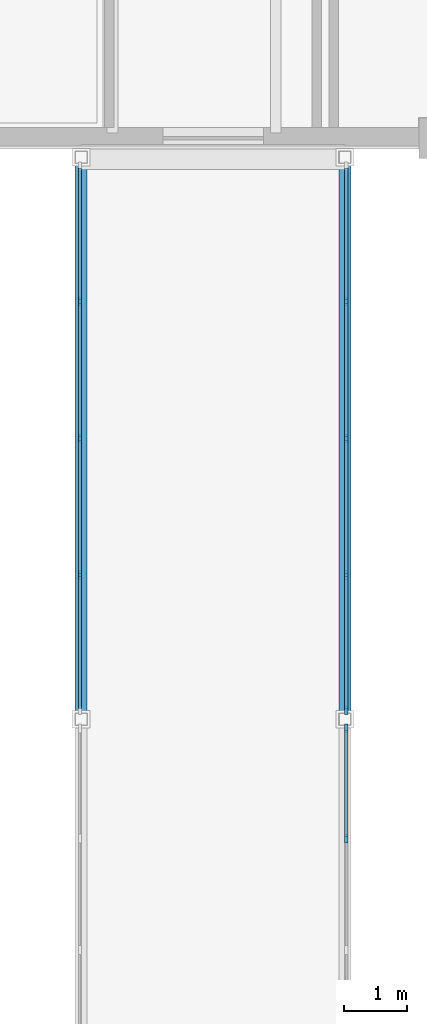
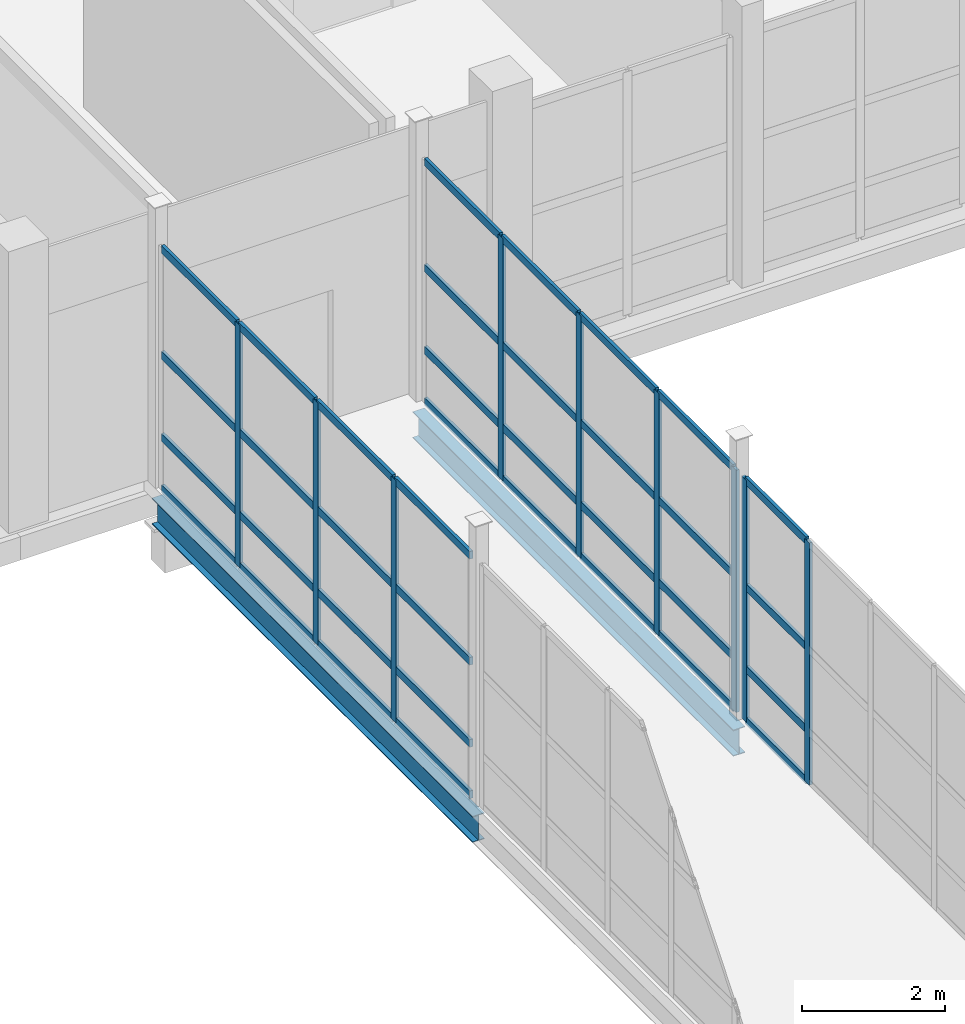
# One storey, part 50 of 131: 45 members, 2 beams, 3 elements without a shape of their own.
"""IFC4 building model written with IfcOpenShell, lengths in metres."""

from ifc_helpers import new_model, si_unit, direction, frame, origin, origin_2d, place, context, subcontext, project, spatial, rectangle, i_section, extrude, material, layer, layer_set, material_profile, profile_set, type_object, element, aggregate, save


model = new_model("IFC4")

# Units and contexts
model_context = context("Model", 3, precision=1e-05, world=origin(), true_north=direction((0.0, 1.0)))
body_context = subcontext(model_context, "Body", "Model", "MODEL_VIEW")
ifc_project = project(units=[si_unit("LENGTHUNIT", "METRE"), si_unit("AREAUNIT", "SQUARE_METRE"), si_unit("VOLUMEUNIT", "CUBIC_METRE"), si_unit("PLANEANGLEUNIT", "RADIAN"), si_unit("MASSUNIT", "GRAM", prefix="KILO")], contexts=[model_context])

# Site, building, storey
site_placement = place(None, origin())
site = spatial("IfcSite", under=ifc_project, at=site_placement, CompositionType="ELEMENT")
building_placement = place(site_placement, origin())
building = spatial("IfcBuilding", under=site, at=building_placement, Name="Celorna Specialist Clinic", CompositionType="ELEMENT")
storey_placement = place(building_placement, origin())
storey = spatial("IfcBuildingStorey", under=building, at=storey_placement, Name="L00", CompositionType="ELEMENT", Elevation=0.0)

# Beams
ifc_material_1 = material(Name="Steel S355", Category="steel")
ifc_material_profile_1 = material_profile(ifc_material_1, i_section(OverallWidth=0.18994140625, OverallDepth=0.449951171875, WebThickness=0.009521484375, FlangeThickness=0.0146484375, at=origin_2d()), Name="IPE 450")
ifc_profile_set_1 = profile_set([ifc_material_profile_1], Name="Steel S355")
beam_type = type_object("IfcBeamType", Name="BM-09", PredefinedType="BEAM", material=ifc_profile_set_1)
for number, where, z_axis, x_axis, name in (
    (1, (72.300048828125, 87.25, -0.445068359375), (0.0, 1.0, 0.0), (-1.0, 0.0, 0.0), "Bridge BR-04 edge girder BM-09 #93"),
    (2, (76.5, 87.25, -0.445068359375), (0.0, 1.0, 0.0), (-1.0, 0.0, 0.0), "Bridge BR-04 edge girder BM-09 #95"),
):
    element("IfcBeam", number, at=place(storey_placement, frame(where, z_axis=z_axis, x_axis=x_axis)), inside=storey, type_object=beam_type, Name=name, PredefinedType="BEAM", context=body_context, shape_type="SweptSolid", body=[
        extrude(i_section(OverallWidth=0.18994140625, OverallDepth=0.449951171875, WebThickness=0.009521484375, FlangeThickness=0.0146484375, at=origin_2d()), origin(), (0.0, 0.0, 1.0), 8.949951171875),
    ])

# Curtain wall, members
ifc_material_2 = material(Name="Thermally broken aluminium and solar-control glass curtain wall", Category="aluminium")
ifc_layer_1 = layer(ifc_material_2, 0.159912109375, Name="Thermally broken aluminium and solar-control glass curtain wall")
ifc_layer_set_1 = layer_set([ifc_layer_1], Name="Thermally broken aluminium and solar-control glass curtain wall")
curtain_wall_type_1 = type_object("IfcCurtainWallType", Name="CW-114", PredefinedType="NOTDEFINED", material=ifc_layer_set_1)
curtain_wall_1_placement = place(storey_placement, origin())
curtain_wall_1 = element("IfcCurtainWall", 3, at=curtain_wall_1_placement, inside=storey, type_object=curtain_wall_type_1, Name="Curtain wall CW-114 #207", PredefinedType="NOTDEFINED")
ifc_material_3 = material(Name="Anodized aluminium mullion", Category="aluminium")
ifc_material_profile_2 = material_profile(ifc_material_3, rectangle(XDim=0.050048828125, YDim=0.139892578125, at=origin_2d()), Name="ALU MULLION 50x140")
ifc_profile_set_2 = profile_set([ifc_material_profile_2], Name="Anodized aluminium mullion")
member_type_1 = type_object("IfcMemberType", Name="ML-03", PredefinedType="MULLION", material=ifc_profile_set_2)
member_1_placement = place(storey_placement, frame((72.280029296875, 89.547607421875, 0.0), z_axis=(0.0, 0.0, 1.0), x_axis=(-1.0, 0.0, 0.0)))
member_1 = element("IfcMember", 4, at=member_1_placement, type_object=member_type_1, Name="CW-114 mullion 2", PredefinedType="MULLION", context=body_context, shape_type="SweptSolid", body=[
    extrude(rectangle(XDim=0.050048828125, YDim=0.139892578125, at=origin_2d()), origin(), (0.0, 0.0, 1.0), 4.1298828125),
])
member_2_placement = place(storey_placement, frame((72.280029296875, 91.72509765625, 0.0), z_axis=(0.0, 0.0, 1.0), x_axis=(-1.0, 0.0, 0.0)))
member_2 = element("IfcMember", 5, at=member_2_placement, type_object=member_type_1, Name="CW-114 mullion 3", PredefinedType="MULLION", context=body_context, shape_type="SweptSolid", body=[
    extrude(rectangle(XDim=0.050048828125, YDim=0.139892578125, at=origin_2d()), origin(), (0.0, 0.0, 1.0), 4.1298828125),
])
member_3_placement = place(storey_placement, frame((72.280029296875, 93.902587890625, 0.0), z_axis=(0.0, 0.0, 1.0), x_axis=(-1.0, 0.0, 0.0)))
member_3 = element("IfcMember", 6, at=member_3_placement, type_object=member_type_1, Name="CW-114 mullion 4", PredefinedType="MULLION", context=body_context, shape_type="SweptSolid", body=[
    extrude(rectangle(XDim=0.050048828125, YDim=0.139892578125, at=origin_2d()), origin(), (0.0, 0.0, 1.0), 4.1298828125),
])

curtain_wall_2_placement = place(storey_placement, origin())
curtain_wall_2 = element("IfcCurtainWall", 7, at=curtain_wall_2_placement, inside=storey, type_object=curtain_wall_type_1, Name="Curtain wall CW-114 #208", PredefinedType="NOTDEFINED")
member_4_placement = place(storey_placement, frame((76.52001953125, 93.902587890625, 0.0), z_axis=(0.0, 0.0, 1.0), x_axis=(1.0, 0.0, 0.0)))
member_4 = element("IfcMember", 8, at=member_4_placement, type_object=member_type_1, Name="CW-114 mullion 2", PredefinedType="MULLION", context=body_context, shape_type="SweptSolid", body=[
    extrude(rectangle(XDim=0.050048828125, YDim=0.139892578125, at=origin_2d()), origin(), (0.0, 0.0, 1.0), 4.1298828125),
])
member_5_placement = place(storey_placement, frame((76.52001953125, 91.72509765625, 0.0), z_axis=(0.0, 0.0, 1.0), x_axis=(1.0, 0.0, 0.0)))
member_5 = element("IfcMember", 9, at=member_5_placement, type_object=member_type_1, Name="CW-114 mullion 3", PredefinedType="MULLION", context=body_context, shape_type="SweptSolid", body=[
    extrude(rectangle(XDim=0.050048828125, YDim=0.139892578125, at=origin_2d()), origin(), (0.0, 0.0, 1.0), 4.1298828125),
])
member_6_placement = place(storey_placement, frame((76.52001953125, 89.547607421875, 0.0), z_axis=(0.0, 0.0, 1.0), x_axis=(1.0, 0.0, 0.0)))
member_6 = element("IfcMember", 10, at=member_6_placement, type_object=member_type_1, Name="CW-114 mullion 4", PredefinedType="MULLION", context=body_context, shape_type="SweptSolid", body=[
    extrude(rectangle(XDim=0.050048828125, YDim=0.139892578125, at=origin_2d()), origin(), (0.0, 0.0, 1.0), 4.1298828125),
])
member_7_placement = place(storey_placement, frame((76.52001953125, 87.39501953125, 0.0), z_axis=(0.0, 0.0, 1.0), x_axis=(1.0, 0.0, 0.0)))
member_7 = element("IfcMember", 11, at=member_7_placement, type_object=member_type_1, Name="CW-114 mullion 5", PredefinedType="MULLION", context=body_context, shape_type="SweptSolid", body=[
    extrude(rectangle(XDim=0.050048828125, YDim=0.139892578125, at=origin_2d()), origin(), (0.0, 0.0, 1.0), 4.1298828125),
])

ifc_layer_2 = layer(ifc_material_2, 0.159912109375, Name="Thermally broken aluminium and solar-control glass curtain wall")
ifc_layer_set_2 = layer_set([ifc_layer_2], Name="Thermally broken aluminium and solar-control glass curtain wall")
curtain_wall_type_2 = type_object("IfcCurtainWallType", Name="CW-113", PredefinedType="NOTDEFINED", material=ifc_layer_set_2)
curtain_wall_3_placement = place(storey_placement, origin())
curtain_wall_3 = element("IfcCurtainWall", 12, at=curtain_wall_3_placement, inside=storey, type_object=curtain_wall_type_2, Name="Curtain wall CW-113 #209", PredefinedType="NOTDEFINED")
member_8_placement = place(storey_placement, frame((76.52001953125, 87.10498046875, 0.0), z_axis=(0.0, 0.0, 1.0), x_axis=(1.0, 0.0, 0.0)))
member_8 = element("IfcMember", 13, at=member_8_placement, type_object=member_type_1, Name="CW-113 mullion 1", PredefinedType="MULLION", context=body_context, shape_type="SweptSolid", body=[
    extrude(rectangle(XDim=0.050048828125, YDim=0.139892578125, at=origin_2d()), origin(), (0.0, 0.0, 1.0), 4.1298828125),
])
member_9_placement = place(storey_placement, frame((76.52001953125, 85.35400390625, 0.0), z_axis=(0.0, 0.0, 1.0), x_axis=(1.0, 0.0, 0.0)))
member_9 = element("IfcMember", 14, at=member_9_placement, type_object=member_type_1, Name="CW-113 mullion 2", PredefinedType="MULLION", context=body_context, shape_type="SweptSolid", body=[
    extrude(rectangle(XDim=0.050048828125, YDim=0.139892578125, at=origin_2d()), origin(), (0.0, 0.0, 1.0), 4.1298828125),
])

# Member
ifc_material_4 = material(Name="Anodized aluminium transom", Category="aluminium")
ifc_material_profile_3 = material_profile(ifc_material_4, rectangle(XDim=0.050048828125, YDim=0.1298828125, at=origin_2d()), Name="ALU TRANSOM 50x130")
ifc_profile_set_3 = profile_set([ifc_material_profile_3], Name="Anodized aluminium transom")
member_type_2 = type_object("IfcMemberType", Name="TR-01", PredefinedType="USERDEFINED", material=ifc_profile_set_3)
member_10_placement = place(storey_placement, frame((72.280029296875, 87.419921875, 0.02490234375), z_axis=(0.0, 1.0, 0.0), x_axis=(-1.0, 0.0, 0.0)))
member_10 = element("IfcMember", 15, at=member_10_placement, type_object=member_type_2, Name="CW-114 transom 1.1", ObjectType="TRANSOM", PredefinedType="USERDEFINED", context=body_context, shape_type="SweptSolid", body=[
    extrude(rectangle(XDim=0.050048828125, YDim=0.1298828125, at=origin_2d()), origin(), (0.0, 0.0, 1.0), 2.1025390625),
])

member_11_placement = place(storey_placement, frame((72.280029296875, 87.419921875, 0.89990234375), z_axis=(0.0, 1.0, 0.0), x_axis=(-1.0, 0.0, 0.0)))
member_11 = element("IfcMember", 16, at=member_11_placement, type_object=member_type_2, Name="CW-114 transom 1.2", ObjectType="TRANSOM", PredefinedType="USERDEFINED", context=body_context, shape_type="SweptSolid", body=[
    extrude(rectangle(XDim=0.050048828125, YDim=0.1298828125, at=origin_2d()), origin(), (0.0, 0.0, 1.0), 2.1025390625),
])

member_12_placement = place(storey_placement, frame((72.280029296875, 87.419921875, 2.300048828125), z_axis=(0.0, 1.0, 0.0), x_axis=(-1.0, 0.0, 0.0)))
member_12 = element("IfcMember", 17, at=member_12_placement, type_object=member_type_2, Name="CW-114 transom 1.3", ObjectType="TRANSOM", PredefinedType="USERDEFINED", context=body_context, shape_type="SweptSolid", body=[
    extrude(rectangle(XDim=0.050048828125, YDim=0.1298828125, at=origin_2d()), origin(), (0.0, 0.0, 1.0), 2.1025390625),
])

member_13_placement = place(storey_placement, frame((72.280029296875, 87.419921875, 4.10498046875), z_axis=(0.0, 1.0, 0.0), x_axis=(-1.0, 0.0, 0.0)))
member_13 = element("IfcMember", 18, at=member_13_placement, type_object=member_type_2, Name="CW-114 transom 1.4", ObjectType="TRANSOM", PredefinedType="USERDEFINED", context=body_context, shape_type="SweptSolid", body=[
    extrude(rectangle(XDim=0.050048828125, YDim=0.1298828125, at=origin_2d()), origin(), (0.0, 0.0, 1.0), 2.1025390625),
])

member_14_placement = place(storey_placement, frame((72.280029296875, 89.572509765625, 0.02490234375), z_axis=(0.0, 1.0, 0.0), x_axis=(-1.0, 0.0, 0.0)))
member_14 = element("IfcMember", 19, at=member_14_placement, type_object=member_type_2, Name="CW-114 transom 2.1", ObjectType="TRANSOM", PredefinedType="USERDEFINED", context=body_context, shape_type="SweptSolid", body=[
    extrude(rectangle(XDim=0.050048828125, YDim=0.1298828125, at=origin_2d()), origin(), (0.0, 0.0, 1.0), 2.12744140625),
])

member_15_placement = place(storey_placement, frame((72.280029296875, 89.572509765625, 0.89990234375), z_axis=(0.0, 1.0, 0.0), x_axis=(-1.0, 0.0, 0.0)))
member_15 = element("IfcMember", 20, at=member_15_placement, type_object=member_type_2, Name="CW-114 transom 2.2", ObjectType="TRANSOM", PredefinedType="USERDEFINED", context=body_context, shape_type="SweptSolid", body=[
    extrude(rectangle(XDim=0.050048828125, YDim=0.1298828125, at=origin_2d()), origin(), (0.0, 0.0, 1.0), 2.12744140625),
])

member_16_placement = place(storey_placement, frame((72.280029296875, 89.572509765625, 2.300048828125), z_axis=(0.0, 1.0, 0.0), x_axis=(-1.0, 0.0, 0.0)))
member_16 = element("IfcMember", 21, at=member_16_placement, type_object=member_type_2, Name="CW-114 transom 2.3", ObjectType="TRANSOM", PredefinedType="USERDEFINED", context=body_context, shape_type="SweptSolid", body=[
    extrude(rectangle(XDim=0.050048828125, YDim=0.1298828125, at=origin_2d()), origin(), (0.0, 0.0, 1.0), 2.12744140625),
])

member_17_placement = place(storey_placement, frame((72.280029296875, 89.572509765625, 4.10498046875), z_axis=(0.0, 1.0, 0.0), x_axis=(-1.0, 0.0, 0.0)))
member_17 = element("IfcMember", 22, at=member_17_placement, type_object=member_type_2, Name="CW-114 transom 2.4", ObjectType="TRANSOM", PredefinedType="USERDEFINED", context=body_context, shape_type="SweptSolid", body=[
    extrude(rectangle(XDim=0.050048828125, YDim=0.1298828125, at=origin_2d()), origin(), (0.0, 0.0, 1.0), 2.12744140625),
])

member_18_placement = place(storey_placement, frame((72.280029296875, 91.75, 0.02490234375), z_axis=(0.0, 1.0, 0.0), x_axis=(-1.0, 0.0, 0.0)))
member_18 = element("IfcMember", 23, at=member_18_placement, type_object=member_type_2, Name="CW-114 transom 3.1", ObjectType="TRANSOM", PredefinedType="USERDEFINED", context=body_context, shape_type="SweptSolid", body=[
    extrude(rectangle(XDim=0.050048828125, YDim=0.1298828125, at=origin_2d()), origin(), (0.0, 0.0, 1.0), 2.12744140625),
])

member_19_placement = place(storey_placement, frame((72.280029296875, 91.75, 0.89990234375), z_axis=(0.0, 1.0, 0.0), x_axis=(-1.0, 0.0, 0.0)))
member_19 = element("IfcMember", 24, at=member_19_placement, type_object=member_type_2, Name="CW-114 transom 3.2", ObjectType="TRANSOM", PredefinedType="USERDEFINED", context=body_context, shape_type="SweptSolid", body=[
    extrude(rectangle(XDim=0.050048828125, YDim=0.1298828125, at=origin_2d()), origin(), (0.0, 0.0, 1.0), 2.12744140625),
])

member_20_placement = place(storey_placement, frame((72.280029296875, 91.75, 2.300048828125), z_axis=(0.0, 1.0, 0.0), x_axis=(-1.0, 0.0, 0.0)))
member_20 = element("IfcMember", 25, at=member_20_placement, type_object=member_type_2, Name="CW-114 transom 3.3", ObjectType="TRANSOM", PredefinedType="USERDEFINED", context=body_context, shape_type="SweptSolid", body=[
    extrude(rectangle(XDim=0.050048828125, YDim=0.1298828125, at=origin_2d()), origin(), (0.0, 0.0, 1.0), 2.12744140625),
])

member_21_placement = place(storey_placement, frame((72.280029296875, 91.75, 4.10498046875), z_axis=(0.0, 1.0, 0.0), x_axis=(-1.0, 0.0, 0.0)))
member_21 = element("IfcMember", 26, at=member_21_placement, type_object=member_type_2, Name="CW-114 transom 3.4", ObjectType="TRANSOM", PredefinedType="USERDEFINED", context=body_context, shape_type="SweptSolid", body=[
    extrude(rectangle(XDim=0.050048828125, YDim=0.1298828125, at=origin_2d()), origin(), (0.0, 0.0, 1.0), 2.12744140625),
])

member_22_placement = place(storey_placement, frame((72.280029296875, 93.927490234375, 0.02490234375), z_axis=(0.0, 1.0, 0.0), x_axis=(-1.0, 0.0, 0.0)))
member_22 = element("IfcMember", 27, at=member_22_placement, type_object=member_type_2, Name="CW-114 transom 4.1", ObjectType="TRANSOM", PredefinedType="USERDEFINED", context=body_context, shape_type="SweptSolid", body=[
    extrude(rectangle(XDim=0.050048828125, YDim=0.1298828125, at=origin_2d()), origin(), (0.0, 0.0, 1.0), 2.1025390625),
])

member_23_placement = place(storey_placement, frame((72.280029296875, 93.927490234375, 0.89990234375), z_axis=(0.0, 1.0, 0.0), x_axis=(-1.0, 0.0, 0.0)))
member_23 = element("IfcMember", 28, at=member_23_placement, type_object=member_type_2, Name="CW-114 transom 4.2", ObjectType="TRANSOM", PredefinedType="USERDEFINED", context=body_context, shape_type="SweptSolid", body=[
    extrude(rectangle(XDim=0.050048828125, YDim=0.1298828125, at=origin_2d()), origin(), (0.0, 0.0, 1.0), 2.1025390625),
])

member_24_placement = place(storey_placement, frame((72.280029296875, 93.927490234375, 2.300048828125), z_axis=(0.0, 1.0, 0.0), x_axis=(-1.0, 0.0, 0.0)))
member_24 = element("IfcMember", 29, at=member_24_placement, type_object=member_type_2, Name="CW-114 transom 4.3", ObjectType="TRANSOM", PredefinedType="USERDEFINED", context=body_context, shape_type="SweptSolid", body=[
    extrude(rectangle(XDim=0.050048828125, YDim=0.1298828125, at=origin_2d()), origin(), (0.0, 0.0, 1.0), 2.1025390625),
])

member_25_placement = place(storey_placement, frame((72.280029296875, 93.927490234375, 4.10498046875), z_axis=(0.0, 1.0, 0.0), x_axis=(-1.0, 0.0, 0.0)))
member_25 = element("IfcMember", 30, at=member_25_placement, type_object=member_type_2, Name="CW-114 transom 4.4", ObjectType="TRANSOM", PredefinedType="USERDEFINED", context=body_context, shape_type="SweptSolid", body=[
    extrude(rectangle(XDim=0.050048828125, YDim=0.1298828125, at=origin_2d()), origin(), (0.0, 0.0, 1.0), 2.1025390625),
])

aggregate(curtain_wall_1, [member_1, member_2, member_3, member_10, member_11, member_12, member_13, member_14, member_15, member_16, member_17, member_18, member_19, member_20, member_21, member_22, member_23, member_24, member_25])

member_26_placement = place(storey_placement, frame((76.52001953125, 96.030029296875, 0.02490234375), z_axis=(0.0, -1.0, 0.0), x_axis=(1.0, 0.0, 0.0)))
member_26 = element("IfcMember", 31, at=member_26_placement, type_object=member_type_2, Name="CW-114 transom 1.1", ObjectType="TRANSOM", PredefinedType="USERDEFINED", context=body_context, shape_type="SweptSolid", body=[
    extrude(rectangle(XDim=0.050048828125, YDim=0.1298828125, at=origin_2d()), origin(), (0.0, 0.0, 1.0), 2.1025390625),
])

member_27_placement = place(storey_placement, frame((76.52001953125, 96.030029296875, 0.89990234375), z_axis=(0.0, -1.0, 0.0), x_axis=(1.0, 0.0, 0.0)))
member_27 = element("IfcMember", 32, at=member_27_placement, type_object=member_type_2, Name="CW-114 transom 1.2", ObjectType="TRANSOM", PredefinedType="USERDEFINED", context=body_context, shape_type="SweptSolid", body=[
    extrude(rectangle(XDim=0.050048828125, YDim=0.1298828125, at=origin_2d()), origin(), (0.0, 0.0, 1.0), 2.1025390625),
])

member_28_placement = place(storey_placement, frame((76.52001953125, 96.030029296875, 2.300048828125), z_axis=(0.0, -1.0, 0.0), x_axis=(1.0, 0.0, 0.0)))
member_28 = element("IfcMember", 33, at=member_28_placement, type_object=member_type_2, Name="CW-114 transom 1.3", ObjectType="TRANSOM", PredefinedType="USERDEFINED", context=body_context, shape_type="SweptSolid", body=[
    extrude(rectangle(XDim=0.050048828125, YDim=0.1298828125, at=origin_2d()), origin(), (0.0, 0.0, 1.0), 2.1025390625),
])

member_29_placement = place(storey_placement, frame((76.52001953125, 96.030029296875, 4.10498046875), z_axis=(0.0, -1.0, 0.0), x_axis=(1.0, 0.0, 0.0)))
member_29 = element("IfcMember", 34, at=member_29_placement, type_object=member_type_2, Name="CW-114 transom 1.4", ObjectType="TRANSOM", PredefinedType="USERDEFINED", context=body_context, shape_type="SweptSolid", body=[
    extrude(rectangle(XDim=0.050048828125, YDim=0.1298828125, at=origin_2d()), origin(), (0.0, 0.0, 1.0), 2.1025390625),
])

member_30_placement = place(storey_placement, frame((76.52001953125, 93.87744140625, 0.02490234375), z_axis=(0.0, -1.0, 0.0), x_axis=(1.0, 0.0, 0.0)))
member_30 = element("IfcMember", 35, at=member_30_placement, type_object=member_type_2, Name="CW-114 transom 2.1", ObjectType="TRANSOM", PredefinedType="USERDEFINED", context=body_context, shape_type="SweptSolid", body=[
    extrude(rectangle(XDim=0.050048828125, YDim=0.1298828125, at=origin_2d()), origin(), (0.0, 0.0, 1.0), 2.12744140625),
])

member_31_placement = place(storey_placement, frame((76.52001953125, 93.87744140625, 0.89990234375), z_axis=(0.0, -1.0, 0.0), x_axis=(1.0, 0.0, 0.0)))
member_31 = element("IfcMember", 36, at=member_31_placement, type_object=member_type_2, Name="CW-114 transom 2.2", ObjectType="TRANSOM", PredefinedType="USERDEFINED", context=body_context, shape_type="SweptSolid", body=[
    extrude(rectangle(XDim=0.050048828125, YDim=0.1298828125, at=origin_2d()), origin(), (0.0, 0.0, 1.0), 2.12744140625),
])

member_32_placement = place(storey_placement, frame((76.52001953125, 93.87744140625, 2.300048828125), z_axis=(0.0, -1.0, 0.0), x_axis=(1.0, 0.0, 0.0)))
member_32 = element("IfcMember", 37, at=member_32_placement, type_object=member_type_2, Name="CW-114 transom 2.3", ObjectType="TRANSOM", PredefinedType="USERDEFINED", context=body_context, shape_type="SweptSolid", body=[
    extrude(rectangle(XDim=0.050048828125, YDim=0.1298828125, at=origin_2d()), origin(), (0.0, 0.0, 1.0), 2.12744140625),
])

member_33_placement = place(storey_placement, frame((76.52001953125, 93.87744140625, 4.10498046875), z_axis=(0.0, -1.0, 0.0), x_axis=(1.0, 0.0, 0.0)))
member_33 = element("IfcMember", 38, at=member_33_placement, type_object=member_type_2, Name="CW-114 transom 2.4", ObjectType="TRANSOM", PredefinedType="USERDEFINED", context=body_context, shape_type="SweptSolid", body=[
    extrude(rectangle(XDim=0.050048828125, YDim=0.1298828125, at=origin_2d()), origin(), (0.0, 0.0, 1.0), 2.12744140625),
])

member_34_placement = place(storey_placement, frame((76.52001953125, 91.699951171875, 0.02490234375), z_axis=(0.0, -1.0, 0.0), x_axis=(1.0, 0.0, 0.0)))
member_34 = element("IfcMember", 39, at=member_34_placement, type_object=member_type_2, Name="CW-114 transom 3.1", ObjectType="TRANSOM", PredefinedType="USERDEFINED", context=body_context, shape_type="SweptSolid", body=[
    extrude(rectangle(XDim=0.050048828125, YDim=0.1298828125, at=origin_2d()), origin(), (0.0, 0.0, 1.0), 2.12744140625),
])

member_35_placement = place(storey_placement, frame((76.52001953125, 91.699951171875, 0.89990234375), z_axis=(0.0, -1.0, 0.0), x_axis=(1.0, 0.0, 0.0)))
member_35 = element("IfcMember", 40, at=member_35_placement, type_object=member_type_2, Name="CW-114 transom 3.2", ObjectType="TRANSOM", PredefinedType="USERDEFINED", context=body_context, shape_type="SweptSolid", body=[
    extrude(rectangle(XDim=0.050048828125, YDim=0.1298828125, at=origin_2d()), origin(), (0.0, 0.0, 1.0), 2.12744140625),
])

member_36_placement = place(storey_placement, frame((76.52001953125, 91.699951171875, 2.300048828125), z_axis=(0.0, -1.0, 0.0), x_axis=(1.0, 0.0, 0.0)))
member_36 = element("IfcMember", 41, at=member_36_placement, type_object=member_type_2, Name="CW-114 transom 3.3", ObjectType="TRANSOM", PredefinedType="USERDEFINED", context=body_context, shape_type="SweptSolid", body=[
    extrude(rectangle(XDim=0.050048828125, YDim=0.1298828125, at=origin_2d()), origin(), (0.0, 0.0, 1.0), 2.12744140625),
])

member_37_placement = place(storey_placement, frame((76.52001953125, 91.699951171875, 4.10498046875), z_axis=(0.0, -1.0, 0.0), x_axis=(1.0, 0.0, 0.0)))
member_37 = element("IfcMember", 42, at=member_37_placement, type_object=member_type_2, Name="CW-114 transom 3.4", ObjectType="TRANSOM", PredefinedType="USERDEFINED", context=body_context, shape_type="SweptSolid", body=[
    extrude(rectangle(XDim=0.050048828125, YDim=0.1298828125, at=origin_2d()), origin(), (0.0, 0.0, 1.0), 2.12744140625),
])

member_38_placement = place(storey_placement, frame((76.52001953125, 89.5224609375, 0.02490234375), z_axis=(0.0, -1.0, 0.0), x_axis=(1.0, 0.0, 0.0)))
member_38 = element("IfcMember", 43, at=member_38_placement, type_object=member_type_2, Name="CW-114 transom 4.1", ObjectType="TRANSOM", PredefinedType="USERDEFINED", context=body_context, shape_type="SweptSolid", body=[
    extrude(rectangle(XDim=0.050048828125, YDim=0.1298828125, at=origin_2d()), origin(), (0.0, 0.0, 1.0), 2.1025390625),
])

member_39_placement = place(storey_placement, frame((76.52001953125, 89.5224609375, 0.89990234375), z_axis=(0.0, -1.0, 0.0), x_axis=(1.0, 0.0, 0.0)))
member_39 = element("IfcMember", 44, at=member_39_placement, type_object=member_type_2, Name="CW-114 transom 4.2", ObjectType="TRANSOM", PredefinedType="USERDEFINED", context=body_context, shape_type="SweptSolid", body=[
    extrude(rectangle(XDim=0.050048828125, YDim=0.1298828125, at=origin_2d()), origin(), (0.0, 0.0, 1.0), 2.1025390625),
])

member_40_placement = place(storey_placement, frame((76.52001953125, 89.5224609375, 2.300048828125), z_axis=(0.0, -1.0, 0.0), x_axis=(1.0, 0.0, 0.0)))
member_40 = element("IfcMember", 45, at=member_40_placement, type_object=member_type_2, Name="CW-114 transom 4.3", ObjectType="TRANSOM", PredefinedType="USERDEFINED", context=body_context, shape_type="SweptSolid", body=[
    extrude(rectangle(XDim=0.050048828125, YDim=0.1298828125, at=origin_2d()), origin(), (0.0, 0.0, 1.0), 2.1025390625),
])

member_41_placement = place(storey_placement, frame((76.52001953125, 89.5224609375, 4.10498046875), z_axis=(0.0, -1.0, 0.0), x_axis=(1.0, 0.0, 0.0)))
member_41 = element("IfcMember", 46, at=member_41_placement, type_object=member_type_2, Name="CW-114 transom 4.4", ObjectType="TRANSOM", PredefinedType="USERDEFINED", context=body_context, shape_type="SweptSolid", body=[
    extrude(rectangle(XDim=0.050048828125, YDim=0.1298828125, at=origin_2d()), origin(), (0.0, 0.0, 1.0), 2.1025390625),
])

aggregate(curtain_wall_2, [member_4, member_5, member_6, member_7, member_26, member_27, member_28, member_29, member_30, member_31, member_32, member_33, member_34, member_35, member_36, member_37, member_38, member_39, member_40, member_41])

member_42_placement = place(storey_placement, frame((76.52001953125, 87.080078125, 0.02490234375), z_axis=(0.0, -1.0, 0.0), x_axis=(1.0, 0.0, 0.0)))
member_42 = element("IfcMember", 47, at=member_42_placement, type_object=member_type_2, Name="CW-113 transom 1.1", ObjectType="TRANSOM", PredefinedType="USERDEFINED", context=body_context, shape_type="SweptSolid", body=[
    extrude(rectangle(XDim=0.050048828125, YDim=0.1298828125, at=origin_2d()), origin(), (0.0, 0.0, 1.0), 1.701171875),
])

member_43_placement = place(storey_placement, frame((76.52001953125, 87.080078125, 0.89990234375), z_axis=(0.0, -1.0, 0.0), x_axis=(1.0, 0.0, 0.0)))
member_43 = element("IfcMember", 48, at=member_43_placement, type_object=member_type_2, Name="CW-113 transom 1.2", ObjectType="TRANSOM", PredefinedType="USERDEFINED", context=body_context, shape_type="SweptSolid", body=[
    extrude(rectangle(XDim=0.050048828125, YDim=0.1298828125, at=origin_2d()), origin(), (0.0, 0.0, 1.0), 1.701171875),
])

member_44_placement = place(storey_placement, frame((76.52001953125, 87.080078125, 2.300048828125), z_axis=(0.0, -1.0, 0.0), x_axis=(1.0, 0.0, 0.0)))
member_44 = element("IfcMember", 49, at=member_44_placement, type_object=member_type_2, Name="CW-113 transom 1.3", ObjectType="TRANSOM", PredefinedType="USERDEFINED", context=body_context, shape_type="SweptSolid", body=[
    extrude(rectangle(XDim=0.050048828125, YDim=0.1298828125, at=origin_2d()), origin(), (0.0, 0.0, 1.0), 1.701171875),
])

member_45_placement = place(storey_placement, frame((76.52001953125, 87.080078125, 4.10498046875), z_axis=(0.0, -1.0, 0.0), x_axis=(1.0, 0.0, 0.0)))
member_45 = element("IfcMember", 50, at=member_45_placement, type_object=member_type_2, Name="CW-113 transom 1.4", ObjectType="TRANSOM", PredefinedType="USERDEFINED", context=body_context, shape_type="SweptSolid", body=[
    extrude(rectangle(XDim=0.050048828125, YDim=0.1298828125, at=origin_2d()), origin(), (0.0, 0.0, 1.0), 1.701171875),
])

aggregate(curtain_wall_3, [member_8, member_9, member_42, member_43, member_44, member_45])

save(model, "model.ifc")
